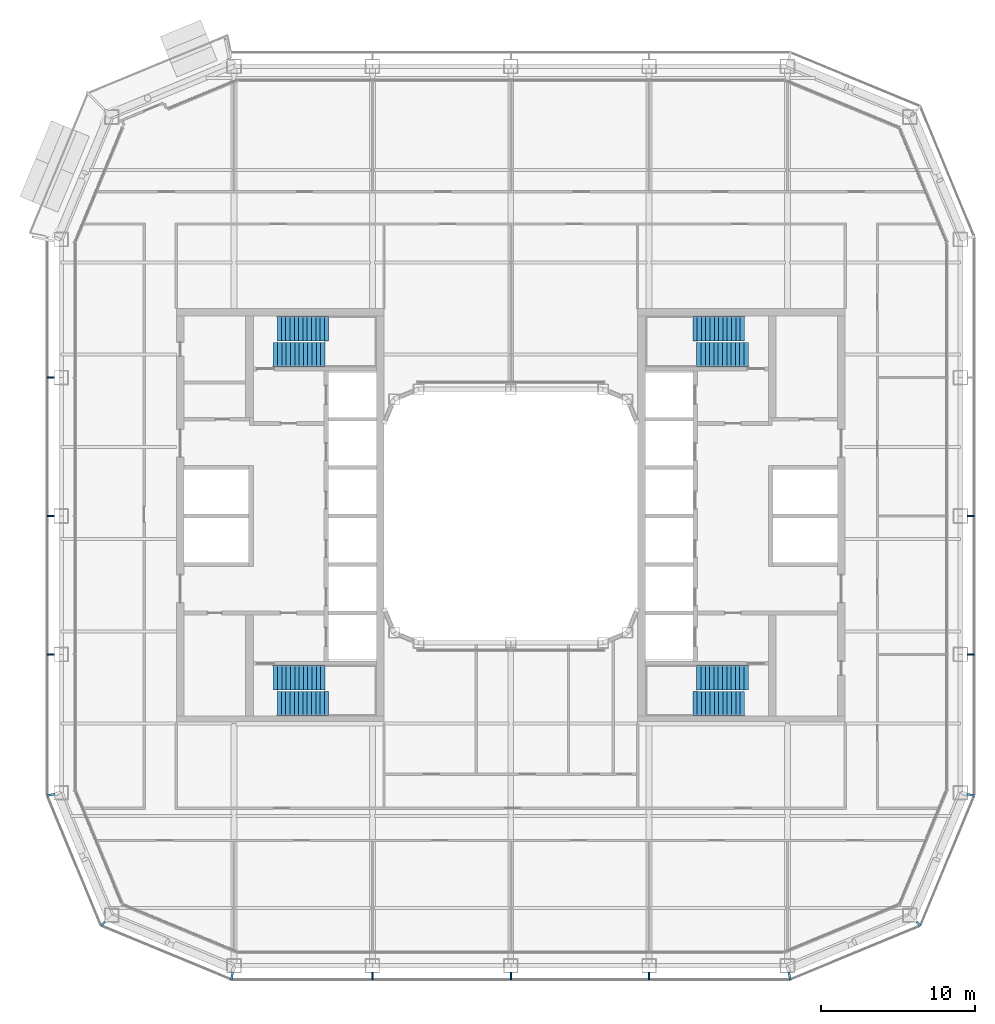
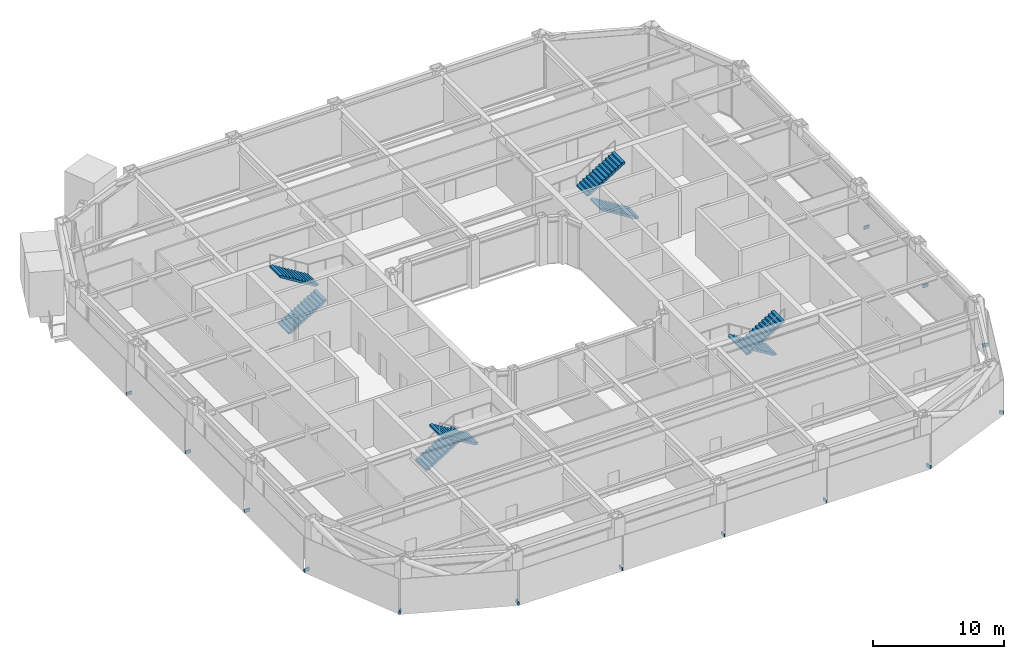
# One storey, part 15 of 23: 14 discrete accessories, 8 stair flights, 4 elements without a shape of their own.
"""IFC4 building model written with IfcOpenShell, lengths in metres."""

from ifc_helpers import new_model, si_unit, direction, frame, origin, origin_2d, place, context, subcontext, project, spatial, polyline, rectangle, outline, extrude, material, type_object, element, aggregate, save


model = new_model("IFC4")

# Units and contexts
model_context = context("Model", 3, precision=1e-05, world=origin(), true_north=direction((0.0, 1.0)))
body_context = subcontext(model_context, "Body", "Model", "MODEL_VIEW")
ifc_project = project(units=[si_unit("LENGTHUNIT", "METRE"), si_unit("AREAUNIT", "SQUARE_METRE"), si_unit("VOLUMEUNIT", "CUBIC_METRE"), si_unit("PLANEANGLEUNIT", "RADIAN"), si_unit("MASSUNIT", "GRAM", prefix="KILO")], contexts=[model_context])

# Site, building, storey
site_placement = place(None, origin())
site = spatial("IfcSite", under=ifc_project, at=site_placement, CompositionType="ELEMENT")
building_placement = place(site_placement, origin())
building = spatial("IfcBuilding", under=site, at=building_placement, Name="Siwar Civic Tower", CompositionType="ELEMENT")
storey_placement = place(building_placement, frame((0.0, 0.0, 136.199951171875)))
storey = spatial("IfcBuildingStorey", under=building, at=storey_placement, Name="L29", CompositionType="ELEMENT", Elevation=136.199951171875)

# Stair, stair flights
ifc_material_1 = material(Name="Concrete C40/50", Category="concrete")
stair_type = type_object("IfcStairType", Name="CORE-STAIR", PredefinedType="TWO_STRAIGHT_RUN_STAIR", material=ifc_material_1)
stair_1_placement = place(storey_placement, origin())
stair_1 = element("IfcStair", 1, at=stair_1_placement, inside=storey, type_object=stair_type, Name="Exit stair ST1", PredefinedType="TWO_STRAIGHT_RUN_STAIR")
ifc_material_2 = material(Name="Concrete C40/50", Category="concrete")
stair_flight_type = type_object("IfcStairFlightType", Name="CORE-STAIR-FLIGHT", PredefinedType="STRAIGHT", material=ifc_material_2)
stair_flight_1_placement = place(storey_placement, frame((-15.449951171875, 10.5, 0.0), z_axis=(0.0, 0.0, 1.0), x_axis=(1.0, 0.0, 0.0)))
stair_flight_1 = element("IfcStairFlight", 2, at=stair_flight_1_placement, type_object=stair_flight_type, Name="ST1 flight 1", NumberOfRisers=13, NumberOfTreads=12, PredefinedType="STRAIGHT", RiserHeight=0.173076923, TreadLength=0.28, context=body_context, shape_type="SweptSolid", body=[
    extrude(outline(polyline([(0.0, 0.0), (0.0, 0.173095703125), (0.280029296875, 0.173095703125), (0.280029296875, 0.34619140625), (0.56005859375, 0.34619140625), (0.56005859375, 0.519287109375), (0.840087890625, 0.519287109375), (0.840087890625, 0.6923828125), (1.1201171875, 0.6923828125), (1.1201171875, 0.865478515625), (1.39990234375, 0.865478515625), (1.39990234375, 1.03857421875), (1.679931640625, 1.03857421875), (1.679931640625, 1.21142578125), (1.9599609375, 1.21142578125), (1.9599609375, 1.384521484375), (2.239990234375, 1.384521484375), (2.239990234375, 1.5576171875), (2.52001953125, 1.5576171875), (2.52001953125, 1.730712890625), (2.800048828125, 1.730712890625), (2.800048828125, 1.90380859375), (3.080078125, 1.90380859375), (3.080078125, 2.076904296875), (3.360107421875, 2.076904296875), (3.360107421875, 2.25), (3.360107421875, 1.900634765625), (0.28515625, 0.0), (0.0, 0.0)])), frame((0.0, 0.800048828125, 0.0), z_axis=(0.0, -1.0, 0.0), x_axis=(1.0, 0.0, 0.0)), (0.0, 0.0, 1.0), 1.60009765625),
])
stair_flight_2_placement = place(storey_placement, frame((-11.840087890625, 12.199951171875, 2.25), z_axis=(0.0, 0.0, 1.0), x_axis=(-1.0, 0.0, 0.0)))
stair_flight_2 = element("IfcStairFlight", 3, at=stair_flight_2_placement, type_object=stair_flight_type, Name="ST1 flight 2", NumberOfRisers=13, NumberOfTreads=12, PredefinedType="STRAIGHT", RiserHeight=0.173076923, TreadLength=0.28, context=body_context, shape_type="SweptSolid", body=[
    extrude(outline(polyline([(0.0, 0.0), (0.0, 0.173095703125), (0.280029296875, 0.173095703125), (0.280029296875, 0.34619140625), (0.56005859375, 0.34619140625), (0.56005859375, 0.519287109375), (0.840087890625, 0.519287109375), (0.840087890625, 0.6923828125), (1.1201171875, 0.6923828125), (1.1201171875, 0.865478515625), (1.39990234375, 0.865478515625), (1.39990234375, 1.03857421875), (1.679931640625, 1.03857421875), (1.679931640625, 1.21142578125), (1.9599609375, 1.21142578125), (1.9599609375, 1.384521484375), (2.239990234375, 1.384521484375), (2.239990234375, 1.5576171875), (2.52001953125, 1.5576171875), (2.52001953125, 1.730712890625), (2.800048828125, 1.730712890625), (2.800048828125, 1.90380859375), (3.080078125, 1.90380859375), (3.080078125, 2.076904296875), (3.360107421875, 2.076904296875), (3.360107421875, 2.25), (3.360107421875, 1.900634765625), (0.28515625, 0.0), (0.0, 0.0)])), frame((0.0, 0.800048828125, 0.0), z_axis=(0.0, -1.0, 0.0), x_axis=(1.0, 0.0, 0.0)), (0.0, 0.0, 1.0), 1.60009765625),
])
aggregate(stair_1, [stair_flight_1, stair_flight_2])

stair_2_placement = place(storey_placement, origin())
stair_2 = element("IfcStair", 4, at=stair_2_placement, inside=storey, type_object=stair_type, Name="Exit stair ST2", PredefinedType="TWO_STRAIGHT_RUN_STAIR")
stair_flight_3_placement = place(storey_placement, frame((-15.449951171875, -10.5, 0.0), z_axis=(0.0, 0.0, 1.0), x_axis=(1.0, 0.0, 0.0)))
stair_flight_3 = element("IfcStairFlight", 5, at=stair_flight_3_placement, type_object=stair_flight_type, Name="ST2 flight 1", NumberOfRisers=13, NumberOfTreads=12, PredefinedType="STRAIGHT", RiserHeight=0.173076923, TreadLength=0.28, context=body_context, shape_type="SweptSolid", body=[
    extrude(outline(polyline([(0.0, 0.0), (0.0, 0.173095703125), (0.280029296875, 0.173095703125), (0.280029296875, 0.34619140625), (0.56005859375, 0.34619140625), (0.56005859375, 0.519287109375), (0.840087890625, 0.519287109375), (0.840087890625, 0.6923828125), (1.1201171875, 0.6923828125), (1.1201171875, 0.865478515625), (1.39990234375, 0.865478515625), (1.39990234375, 1.03857421875), (1.679931640625, 1.03857421875), (1.679931640625, 1.21142578125), (1.9599609375, 1.21142578125), (1.9599609375, 1.384521484375), (2.239990234375, 1.384521484375), (2.239990234375, 1.5576171875), (2.52001953125, 1.5576171875), (2.52001953125, 1.730712890625), (2.800048828125, 1.730712890625), (2.800048828125, 1.90380859375), (3.080078125, 1.90380859375), (3.080078125, 2.076904296875), (3.360107421875, 2.076904296875), (3.360107421875, 2.25), (3.360107421875, 1.900634765625), (0.28515625, 0.0), (0.0, 0.0)])), frame((0.0, 0.800048828125, 0.0), z_axis=(0.0, -1.0, 0.0), x_axis=(1.0, 0.0, 0.0)), (0.0, 0.0, 1.0), 1.60009765625),
])
stair_flight_4_placement = place(storey_placement, frame((-11.840087890625, -12.199951171875, 2.25), z_axis=(0.0, 0.0, 1.0), x_axis=(-1.0, 0.0, 0.0)))
stair_flight_4 = element("IfcStairFlight", 6, at=stair_flight_4_placement, type_object=stair_flight_type, Name="ST2 flight 2", NumberOfRisers=13, NumberOfTreads=12, PredefinedType="STRAIGHT", RiserHeight=0.173076923, TreadLength=0.28, context=body_context, shape_type="SweptSolid", body=[
    extrude(outline(polyline([(0.0, 0.0), (0.0, 0.173095703125), (0.280029296875, 0.173095703125), (0.280029296875, 0.34619140625), (0.56005859375, 0.34619140625), (0.56005859375, 0.519287109375), (0.840087890625, 0.519287109375), (0.840087890625, 0.6923828125), (1.1201171875, 0.6923828125), (1.1201171875, 0.865478515625), (1.39990234375, 0.865478515625), (1.39990234375, 1.03857421875), (1.679931640625, 1.03857421875), (1.679931640625, 1.21142578125), (1.9599609375, 1.21142578125), (1.9599609375, 1.384521484375), (2.239990234375, 1.384521484375), (2.239990234375, 1.5576171875), (2.52001953125, 1.5576171875), (2.52001953125, 1.730712890625), (2.800048828125, 1.730712890625), (2.800048828125, 1.90380859375), (3.080078125, 1.90380859375), (3.080078125, 2.076904296875), (3.360107421875, 2.076904296875), (3.360107421875, 2.25), (3.360107421875, 1.900634765625), (0.28515625, 0.0), (0.0, 0.0)])), frame((0.0, 0.800048828125, 0.0), z_axis=(0.0, -1.0, 0.0), x_axis=(1.0, 0.0, 0.0)), (0.0, 0.0, 1.0), 1.60009765625),
])
aggregate(stair_2, [stair_flight_3, stair_flight_4])

stair_3_placement = place(storey_placement, origin())
stair_3 = element("IfcStair", 7, at=stair_3_placement, inside=storey, type_object=stair_type, Name="Exit stair ST3", PredefinedType="TWO_STRAIGHT_RUN_STAIR")
stair_flight_5_placement = place(storey_placement, frame((15.449951171875, 10.5, 0.0), z_axis=(0.0, 0.0, 1.0), x_axis=(-1.0, 0.0, 0.0)))
stair_flight_5 = element("IfcStairFlight", 8, at=stair_flight_5_placement, type_object=stair_flight_type, Name="ST3 flight 1", NumberOfRisers=13, NumberOfTreads=12, PredefinedType="STRAIGHT", RiserHeight=0.173076923, TreadLength=0.28, context=body_context, shape_type="SweptSolid", body=[
    extrude(outline(polyline([(0.0, 0.0), (0.0, 0.173095703125), (0.280029296875, 0.173095703125), (0.280029296875, 0.34619140625), (0.56005859375, 0.34619140625), (0.56005859375, 0.519287109375), (0.840087890625, 0.519287109375), (0.840087890625, 0.6923828125), (1.1201171875, 0.6923828125), (1.1201171875, 0.865478515625), (1.39990234375, 0.865478515625), (1.39990234375, 1.03857421875), (1.679931640625, 1.03857421875), (1.679931640625, 1.21142578125), (1.9599609375, 1.21142578125), (1.9599609375, 1.384521484375), (2.239990234375, 1.384521484375), (2.239990234375, 1.5576171875), (2.52001953125, 1.5576171875), (2.52001953125, 1.730712890625), (2.800048828125, 1.730712890625), (2.800048828125, 1.90380859375), (3.080078125, 1.90380859375), (3.080078125, 2.076904296875), (3.360107421875, 2.076904296875), (3.360107421875, 2.25), (3.360107421875, 1.900634765625), (0.28515625, 0.0), (0.0, 0.0)])), frame((0.0, 0.800048828125, 0.0), z_axis=(0.0, -1.0, 0.0), x_axis=(1.0, 0.0, 0.0)), (0.0, 0.0, 1.0), 1.60009765625),
])
stair_flight_6_placement = place(storey_placement, frame((11.840087890625, 12.199951171875, 2.25), z_axis=(0.0, 0.0, 1.0), x_axis=(1.0, 0.0, 0.0)))
stair_flight_6 = element("IfcStairFlight", 9, at=stair_flight_6_placement, type_object=stair_flight_type, Name="ST3 flight 2", NumberOfRisers=13, NumberOfTreads=12, PredefinedType="STRAIGHT", RiserHeight=0.173076923, TreadLength=0.28, context=body_context, shape_type="SweptSolid", body=[
    extrude(outline(polyline([(0.0, 0.0), (0.0, 0.173095703125), (0.280029296875, 0.173095703125), (0.280029296875, 0.34619140625), (0.56005859375, 0.34619140625), (0.56005859375, 0.519287109375), (0.840087890625, 0.519287109375), (0.840087890625, 0.6923828125), (1.1201171875, 0.6923828125), (1.1201171875, 0.865478515625), (1.39990234375, 0.865478515625), (1.39990234375, 1.03857421875), (1.679931640625, 1.03857421875), (1.679931640625, 1.21142578125), (1.9599609375, 1.21142578125), (1.9599609375, 1.384521484375), (2.239990234375, 1.384521484375), (2.239990234375, 1.5576171875), (2.52001953125, 1.5576171875), (2.52001953125, 1.730712890625), (2.800048828125, 1.730712890625), (2.800048828125, 1.90380859375), (3.080078125, 1.90380859375), (3.080078125, 2.076904296875), (3.360107421875, 2.076904296875), (3.360107421875, 2.25), (3.360107421875, 1.900634765625), (0.28515625, 0.0), (0.0, 0.0)])), frame((0.0, 0.800048828125, 0.0), z_axis=(0.0, -1.0, 0.0), x_axis=(1.0, 0.0, 0.0)), (0.0, 0.0, 1.0), 1.60009765625),
])
aggregate(stair_3, [stair_flight_5, stair_flight_6])

stair_4_placement = place(storey_placement, origin())
stair_4 = element("IfcStair", 10, at=stair_4_placement, inside=storey, type_object=stair_type, Name="Exit stair ST4", PredefinedType="TWO_STRAIGHT_RUN_STAIR")
stair_flight_7_placement = place(storey_placement, frame((15.449951171875, -10.5, 0.0), z_axis=(0.0, 0.0, 1.0), x_axis=(-1.0, 0.0, 0.0)))
stair_flight_7 = element("IfcStairFlight", 11, at=stair_flight_7_placement, type_object=stair_flight_type, Name="ST4 flight 1", NumberOfRisers=13, NumberOfTreads=12, PredefinedType="STRAIGHT", RiserHeight=0.173076923, TreadLength=0.28, context=body_context, shape_type="SweptSolid", body=[
    extrude(outline(polyline([(0.0, 0.0), (0.0, 0.173095703125), (0.280029296875, 0.173095703125), (0.280029296875, 0.34619140625), (0.56005859375, 0.34619140625), (0.56005859375, 0.519287109375), (0.840087890625, 0.519287109375), (0.840087890625, 0.6923828125), (1.1201171875, 0.6923828125), (1.1201171875, 0.865478515625), (1.39990234375, 0.865478515625), (1.39990234375, 1.03857421875), (1.679931640625, 1.03857421875), (1.679931640625, 1.21142578125), (1.9599609375, 1.21142578125), (1.9599609375, 1.384521484375), (2.239990234375, 1.384521484375), (2.239990234375, 1.5576171875), (2.52001953125, 1.5576171875), (2.52001953125, 1.730712890625), (2.800048828125, 1.730712890625), (2.800048828125, 1.90380859375), (3.080078125, 1.90380859375), (3.080078125, 2.076904296875), (3.360107421875, 2.076904296875), (3.360107421875, 2.25), (3.360107421875, 1.900634765625), (0.28515625, 0.0), (0.0, 0.0)])), frame((0.0, 0.800048828125, 0.0), z_axis=(0.0, -1.0, 0.0), x_axis=(1.0, 0.0, 0.0)), (0.0, 0.0, 1.0), 1.60009765625),
])
stair_flight_8_placement = place(storey_placement, frame((11.840087890625, -12.199951171875, 2.25), z_axis=(0.0, 0.0, 1.0), x_axis=(1.0, 0.0, 0.0)))
stair_flight_8 = element("IfcStairFlight", 12, at=stair_flight_8_placement, type_object=stair_flight_type, Name="ST4 flight 2", NumberOfRisers=13, NumberOfTreads=12, PredefinedType="STRAIGHT", RiserHeight=0.173076923, TreadLength=0.28, context=body_context, shape_type="SweptSolid", body=[
    extrude(outline(polyline([(0.0, 0.0), (0.0, 0.173095703125), (0.280029296875, 0.173095703125), (0.280029296875, 0.34619140625), (0.56005859375, 0.34619140625), (0.56005859375, 0.519287109375), (0.840087890625, 0.519287109375), (0.840087890625, 0.6923828125), (1.1201171875, 0.6923828125), (1.1201171875, 0.865478515625), (1.39990234375, 0.865478515625), (1.39990234375, 1.03857421875), (1.679931640625, 1.03857421875), (1.679931640625, 1.21142578125), (1.9599609375, 1.21142578125), (1.9599609375, 1.384521484375), (2.239990234375, 1.384521484375), (2.239990234375, 1.5576171875), (2.52001953125, 1.5576171875), (2.52001953125, 1.730712890625), (2.800048828125, 1.730712890625), (2.800048828125, 1.90380859375), (3.080078125, 1.90380859375), (3.080078125, 2.076904296875), (3.360107421875, 2.076904296875), (3.360107421875, 2.25), (3.360107421875, 1.900634765625), (0.28515625, 0.0), (0.0, 0.0)])), frame((0.0, 0.800048828125, 0.0), z_axis=(0.0, -1.0, 0.0), x_axis=(1.0, 0.0, 0.0)), (0.0, 0.0, 1.0), 1.60009765625),
])
aggregate(stair_4, [stair_flight_7, stair_flight_8])

# Discrete accessories
ifc_material_3 = material(Name="Stainless steel 316", Category="steel")
discrete_accessory_type = type_object("IfcDiscreteAccessoryType", Name="ENV-BRACKET", PredefinedType="BRACKET", material=ifc_material_3)
for number, where, z_axis, x_axis, name in (
    (13, (29.9150390625, -9.0, -0.14990234375), (0.0, 0.0, 1.0), (1.0, 0.0, 0.0), "Bracket outer skin joint E-01"),
    (14, (29.9150390625, 0.0, -0.14990234375), (0.0, 0.0, 1.0), (1.0, 0.0, 0.0), "Bracket outer skin joint E-02"),
    (15, (-9.0, -29.9150390625, -0.14990234375), (0.0, 0.0, 1.0), (0.0, -1.0, 0.0), "Bracket outer skin joint S-01"),
    (16, (0.0, -29.9150390625, -0.14990234375), (0.0, 0.0, 1.0), (0.0, -1.0, 0.0), "Bracket outer skin joint S-02"),
    (17, (9.0, -29.9150390625, -0.14990234375), (0.0, 0.0, 1.0), (0.0, -1.0, 0.0), "Bracket outer skin joint S-03"),
):
    element("IfcDiscreteAccessory", number, at=place(storey_placement, frame(where, z_axis=z_axis, x_axis=x_axis)), inside=storey, type_object=discrete_accessory_type, Name=name, PredefinedType="BRACKET", context=body_context, shape_type="SweptSolid", body=[
        extrude(rectangle(XDim=0.469970703125, YDim=0.10009765625, at=origin_2d()), origin(), (0.0, 0.0, 1.0), 0.300048828125),
    ])
for number, where, z_axis, x_axis, name in (
    (18, (-18.13232421875, -29.915283203125, -0.14990234375), (0.0, 0.0, 1.0), (-0.195090322016, -0.980785280403, 0.0), "Bracket outer skin joint V00"),
    (19, (18.13232421875, -29.915283203125, -0.14990234375), (0.0, 0.0, 1.0), (0.195090322016, -0.980785280403, 0.0), "Bracket outer skin joint V01"),
):
    element("IfcDiscreteAccessory", number, at=place(storey_placement, frame(where, z_axis=z_axis, x_axis=x_axis)), inside=storey, type_object=discrete_accessory_type, Name=name, PredefinedType="BRACKET", context=body_context, shape_type="SweptSolid", body=[
        extrude(rectangle(XDim=0.478759765625, YDim=0.13720703125, at=origin_2d()), origin(), (0.0, 0.0, 1.0), 0.300048828125),
    ])
discrete_accessory_1_placement = place(storey_placement, frame((26.517333984375, -26.517333984375, -0.14990234375), z_axis=(0.0, 0.0, 1.0), x_axis=(0.707106781187, -0.707106781187, 0.0)))
element("IfcDiscreteAccessory", 20, at=discrete_accessory_1_placement, inside=storey, type_object=discrete_accessory_type, Name="Bracket outer skin joint V02", PredefinedType="BRACKET", context=body_context, shape_type="SweptSolid", body=[
    extrude(rectangle(XDim=0.357666015625, YDim=0.12939453125, at=origin_2d()), origin(), (0.0, 0.0, 1.0), 0.300048828125),
])
for number, where, z_axis, x_axis, name in (
    (21, (29.915283203125, -18.13232421875, -0.14990234375), (0.0, 0.0, 1.0), (0.980785280403, -0.195090322016, 0.0), "Bracket outer skin joint V03"),
    (22, (-29.915283203125, -18.13232421875, -0.14990234375), (0.0, 0.0, 1.0), (-0.980785280403, -0.195090322016, 0.0), "Bracket outer skin joint V10"),
):
    element("IfcDiscreteAccessory", number, at=place(storey_placement, frame(where, z_axis=z_axis, x_axis=x_axis)), inside=storey, type_object=discrete_accessory_type, Name=name, PredefinedType="BRACKET", context=body_context, shape_type="SweptSolid", body=[
        extrude(rectangle(XDim=0.478759765625, YDim=0.13720703125, at=origin_2d()), origin(), (0.0, 0.0, 1.0), 0.300048828125),
    ])
discrete_accessory_2_placement = place(storey_placement, frame((-26.517333984375, -26.517333984375, -0.14990234375), z_axis=(0.0, 0.0, 1.0), x_axis=(-0.707106781187, -0.707106781187, 0.0)))
element("IfcDiscreteAccessory", 23, at=discrete_accessory_2_placement, inside=storey, type_object=discrete_accessory_type, Name="Bracket outer skin joint V11", PredefinedType="BRACKET", context=body_context, shape_type="SweptSolid", body=[
    extrude(rectangle(XDim=0.357666015625, YDim=0.12939453125, at=origin_2d()), origin(), (0.0, 0.0, 1.0), 0.300048828125),
])
for number, where, z_axis, x_axis, name in (
    (24, (-29.9150390625, 9.0, -0.14990234375), (0.0, 0.0, 1.0), (-1.0, 0.0, 0.0), "Bracket outer skin joint W-01"),
    (25, (-29.9150390625, 0.0, -0.14990234375), (0.0, 0.0, 1.0), (-1.0, 0.0, 0.0), "Bracket outer skin joint W-02"),
    (26, (-29.9150390625, -9.0, -0.14990234375), (0.0, 0.0, 1.0), (-1.0, 0.0, 0.0), "Bracket outer skin joint W-03"),
):
    element("IfcDiscreteAccessory", number, at=place(storey_placement, frame(where, z_axis=z_axis, x_axis=x_axis)), inside=storey, type_object=discrete_accessory_type, Name=name, PredefinedType="BRACKET", context=body_context, shape_type="SweptSolid", body=[
        extrude(rectangle(XDim=0.469970703125, YDim=0.10009765625, at=origin_2d()), origin(), (0.0, 0.0, 1.0), 0.300048828125),
    ])

save(model, "model.ifc")
